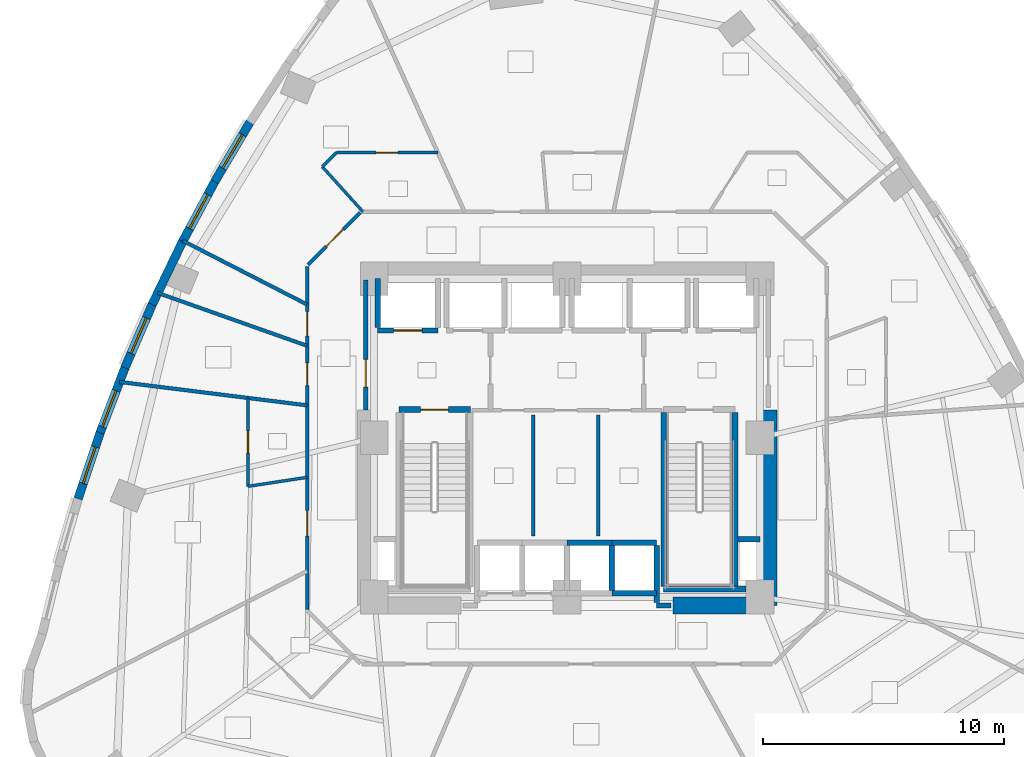
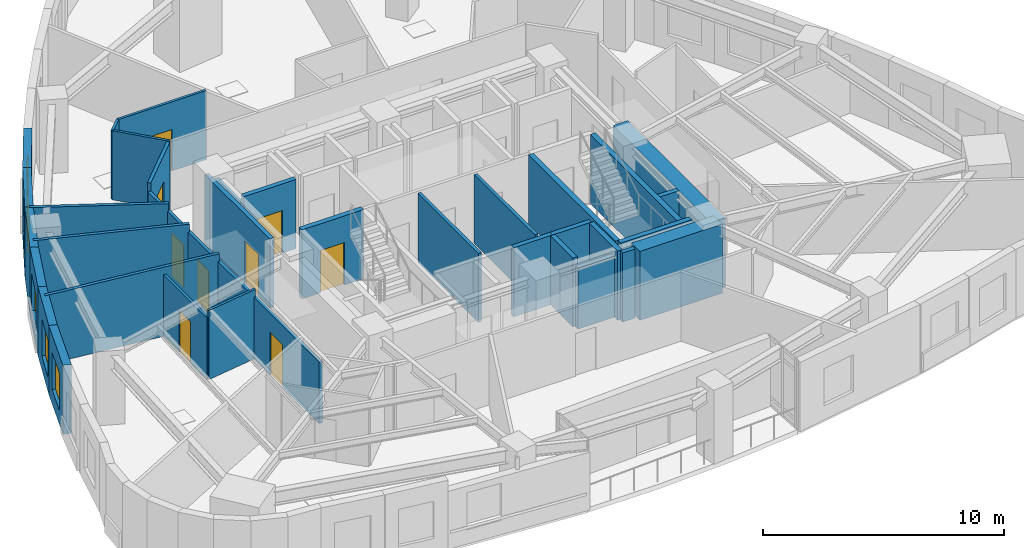
# One storey, part 5 of 11: 34 walls, 9 doors, 5 windows, 14 openings.
"""IFC4 building model written with IfcOpenShell, lengths in metres."""

import ifcopenshell
import ifcopenshell.guid

model = None  # the IFC model being written
_history = None  # IfcOwnerHistory: only IFC2X3 demands one
_inside = {}  # id of a spatial element -> (the spatial element, [elements in it])
_under = {}  # id of a project, library or spatial element -> (it, [spatial elements below it])
_declared = {}  # id of a project -> (the project, [libraries it declares])
_typed = {}  # id of a type object -> (the type object, [elements of that type])
_made_of = {}  # id of a material, layer set ... -> (it, [elements and type objects made of it])


def new_model(schema):
    """Start an empty IFC model of exactly this schema.

    Asked for "IFC4X3", IfcOpenShell would pick the latest addendum, in which some entities
    have other attributes; the version numbers below select the first issue.
    IFC2X3 requires an IfcOwnerHistory on every rooted entity: one is made here for all.
    """
    global model, _history
    if schema == "IFC4X3":
        model = ifcopenshell.file(schema_version=(4, 3, 0, 0))
    else:
        model = ifcopenshell.file(schema=schema)
    _inside.clear()
    _under.clear()
    _declared.clear()
    _typed.clear()
    _made_of.clear()
    _history = None
    if model.schema == "IFC2X3":
        org = make("IfcOrganization", Name="unknown")
        user = make(
            "IfcPersonAndOrganization",
            ThePerson=make("IfcPerson", FamilyName="unknown"),
            TheOrganization=org,
        )
        app = make(
            "IfcApplication",
            ApplicationDeveloper=org,
            Version="unknown",
            ApplicationFullName="unknown",
            ApplicationIdentifier="unknown",
        )
        _history = make(
            "IfcOwnerHistory",
            OwningUser=user,
            OwningApplication=app,
            ChangeAction="ADDED",
            CreationDate=0,
        )
    return model


def make(cls, **values):
    """One entity of the class cls with the attributes given. An attribute that is None is left unset."""
    return model.create_entity(
        cls, **{name: value for name, value in values.items() if value is not None}
    )


def rooted(cls, **values):
    """An entity with a GlobalId (a new one), such as an element, a storey or a relation."""
    return make(cls, GlobalId=ifcopenshell.guid.new(), OwnerHistory=_history, **values)


def si_unit(unit_type, name, prefix=None):
    """IfcSIUnit, for example si_unit("LENGTHUNIT", "METRE", prefix="MILLI")."""
    return make("IfcSIUnit", UnitType=unit_type, Prefix=prefix, Name=name)


def assignment(units):
    """IfcUnitAssignment: the units of a project."""
    return None if units is None else make("IfcUnitAssignment", Units=units)


def point(xyz):
    """IfcCartesianPoint."""
    return None if xyz is None else make("IfcCartesianPoint", Coordinates=xyz)


def direction(xyz):
    """IfcDirection."""
    return None if xyz is None else make("IfcDirection", DirectionRatios=xyz)


def frame(location, z_axis=None, x_axis=None):
    """IfcAxis2Placement3D, a coordinate frame: its origin and axes. An axis left out is left unset."""
    return make(
        "IfcAxis2Placement3D",
        Location=point(location),
        Axis=direction(z_axis),
        RefDirection=direction(x_axis),
    )


def frame_2d(location, x_axis=None):
    """IfcAxis2Placement2D, a coordinate frame in the plane: its origin and x axis."""
    return make(
        "IfcAxis2Placement2D", Location=point(location), RefDirection=direction(x_axis)
    )


def origin():
    """The frame at (0, 0, 0) with its axes left unset."""
    return frame((0.0, 0.0, 0.0))


def place(relative_to, where):
    """IfcLocalPlacement: puts the frame where relative to a parent placement (None: the world)."""
    return make(
        "IfcLocalPlacement", PlacementRelTo=relative_to, RelativePlacement=where
    )


def context(
    kind, dimensions, precision=None, world=None, true_north=None, identifier=None
):
    """IfcGeometricRepresentationContext, for example the 3D "Model" context."""
    return make(
        "IfcGeometricRepresentationContext",
        ContextIdentifier=identifier,
        ContextType=kind,
        CoordinateSpaceDimension=dimensions,
        Precision=precision,
        WorldCoordinateSystem=world,
        TrueNorth=true_north,
    )


def subcontext(parent, identifier, kind, view, scale=None):
    """IfcGeometricRepresentationSubContext, for example "Body" below "Model"."""
    return make(
        "IfcGeometricRepresentationSubContext",
        ContextIdentifier=identifier,
        ContextType=kind,
        ParentContext=parent,
        TargetScale=scale,
        TargetView=view,
    )


def project(units=None, contexts=None):
    """IfcProject with its units and contexts."""
    return rooted(
        "IfcProject",
        Name="project",
        RepresentationContexts=contexts,
        UnitsInContext=assignment(units),
    )


def spatial(cls, under=None, at=None, **own):
    """A site, building, storey or space (cls), placed at a placement, below another one or the project."""
    s = rooted(cls, ObjectPlacement=at, **own)
    if under is not None:
        _under.setdefault(under.id(), (under, []))[1].append(s)
    return s


def profile(cls, at=None, kind="AREA", **sizes):
    """A parametric profile (cls). Its sizes go by their IFC names, for example OverallWidth=200.0."""
    return make(cls, ProfileType=kind, Position=at, **sizes)


def rectangle(**sizes):
    """IfcRectangleProfileDef."""
    return profile("IfcRectangleProfileDef", **sizes)


def extrude(swept, where, along, depth):
    """IfcExtrudedAreaSolid: the profile swept, set in the frame where, extruded along a direction by depth."""
    return make(
        "IfcExtrudedAreaSolid",
        SweptArea=swept,
        Position=where,
        ExtrudedDirection=direction(along),
        Depth=depth,
    )


def shape(context_of_items, identifier, shape_type, items):
    """IfcShapeRepresentation: the items that make up one representation, for example the "Body"."""
    return make(
        "IfcShapeRepresentation",
        ContextOfItems=context_of_items,
        RepresentationIdentifier=identifier,
        RepresentationType=shape_type,
        Items=items,
    )


def material(Name=None, Category=None):
    """IfcMaterial."""
    return make("IfcMaterial", Name=Name, Category=Category)


def layer(
    of_material, thickness, ventilated=None, Name=None, Category=None, Priority=None
):
    """IfcMaterialLayer: one layer of a wall or slab, of a material (None: an air gap)."""
    return make(
        "IfcMaterialLayer",
        Material=of_material,
        LayerThickness=thickness,
        IsVentilated=ventilated,
        Name=Name,
        Category=Category,
        Priority=Priority,
    )


def layer_set(layers, Name=None):
    """IfcMaterialLayerSet."""
    return make("IfcMaterialLayerSet", MaterialLayers=layers, LayerSetName=Name)


def made_of(thing, what):
    """Note that an element or type object is made of a material, layer set ...; save() writes the relation."""
    if what is not None:
        _made_of.setdefault(what.id(), (what, []))[1].append(thing)
    return thing


def type_object(cls, material=None, **own):
    """A type object (cls), such as IfcWallType, which elements share."""
    return made_of(rooted(cls, **own), material)


def element(
    cls,
    number,
    at=None,
    inside=None,
    cuts=None,
    type_object=None,
    material=None,
    context=None,
    identifier="Body",
    shape_type=None,
    held_by="IfcProductDefinitionShape",
    body=None,
    shapes=None,
    **own,
):
    """One element of the class cls, such as IfcWall. Its Tag is "e" and its number.

    at: its placement. inside: the storey or other place that contains it. cuts: it is an
    opening in that element (IfcRelVoidsElement). A single representation is given by context,
    identifier, shape_type and body (its items); several are given by shapes. held_by: the class
    of the entity that holds the representations. save() writes the other relations.
    """
    e = rooted(cls, Tag="e%d" % number, ObjectPlacement=at, **own)
    if body is not None:
        shapes = [shape(context, identifier, shape_type, body)]
    if shapes is not None:
        e.Representation = make(held_by, Representations=shapes)
    if inside is not None:
        _inside.setdefault(inside.id(), (inside, []))[1].append(e)
    if cuts is not None:
        rooted(
            "IfcRelVoidsElement", RelatingBuildingElement=cuts, RelatedOpeningElement=e
        )
    if type_object is not None:
        _typed.setdefault(type_object.id(), (type_object, []))[1].append(e)
    return made_of(e, material)


def fill(opening, filler):
    """IfcRelFillsElement: the door or window that sits in an opening."""
    return rooted(
        "IfcRelFillsElement",
        RelatingOpeningElement=opening,
        RelatedBuildingElement=filler,
    )


def aggregate(whole, parts):
    """IfcRelAggregates: a whole, such as a stair, and the parts it consists of."""
    return rooted("IfcRelAggregates", RelatingObject=whole, RelatedObjects=parts)


def save(model, path):
    """Write the relations noted so far, then the file.

    IfcRelAggregates (storeys below a building ...), IfcRelContainedInSpatialStructure (elements
    in a storey), IfcRelDefinesByType, IfcRelAssociatesMaterial and IfcRelDeclares: one each for
    every whole, place, type object, material and project.
    """
    for whole, parts in _under.values():
        aggregate(whole, parts)
    for where, things in _inside.values():
        rooted(
            "IfcRelContainedInSpatialStructure",
            RelatedElements=things,
            RelatingStructure=where,
        )
    for kind, things in _typed.values():
        rooted("IfcRelDefinesByType", RelatedObjects=things, RelatingType=kind)
    for what, things in _made_of.values():
        rooted("IfcRelAssociatesMaterial", RelatedObjects=things, RelatingMaterial=what)
    for by, libraries in _declared.values():
        rooted("IfcRelDeclares", RelatingContext=by, RelatedDefinitions=libraries)
    model.write(path)


model = new_model("IFC4")

# Units and contexts
model_context = context("Model", 3, precision=1e-05, world=origin(), true_north=direction((0.0, 1.0)))
body_context = subcontext(model_context, "Body", "Model", "MODEL_VIEW")
ifc_project = project(units=[si_unit("LENGTHUNIT", "METRE"), si_unit("AREAUNIT", "SQUARE_METRE"), si_unit("VOLUMEUNIT", "CUBIC_METRE"), si_unit("PLANEANGLEUNIT", "RADIAN"), si_unit("MASSUNIT", "GRAM", prefix="KILO")], contexts=[model_context])

# Site, building, storey
site_placement = place(None, origin())
site = spatial("IfcSite", under=ifc_project, at=site_placement, CompositionType="ELEMENT")
building_placement = place(site_placement, origin())
building = spatial("IfcBuilding", under=site, at=building_placement, Name="Ndelora Gate Hotel", CompositionType="ELEMENT")
storey_placement = place(building_placement, frame((0.0, 0.0, 45.5)))
storey = spatial("IfcBuildingStorey", under=building, at=storey_placement, Name="L10", CompositionType="ELEMENT", Elevation=45.5)

# Wall, opening, window
ifc_material_1 = material(Name="Clay Brick Masonry", Category="masonry")
ifc_layer_1 = layer(ifc_material_1, 0.360107421875)
ifc_layer_set_1 = layer_set([ifc_layer_1], Name="Clay Brick Masonry")
wall_type_1 = type_object("IfcWallType", Name="WL-BRICK-360", PredefinedType="SOLIDWALL", material=ifc_layer_set_1)
wall_1_placement = place(storey_placement, frame((-14.61279296875, 10.62646484375, 0.0), z_axis=(0.0, 0.0, 1.0), x_axis=(0.510091648533, 0.86012005563, 0.0)))
wall_1 = element("IfcWall", 1, at=wall_1_placement, inside=storey, type_object=wall_type_1, Name="L10 Tower Brick Pier-and-Spandrel Wall TWR-13", PredefinedType="SOLIDWALL", context=body_context, shape_type="SweptSolid", body=[
    extrude(rectangle(XDim=2.914794921875, YDim=0.360107421875, at=frame_2d((1.45751953125, 0.0))), origin(), (0.0, 0.0, 1.0), 3.5),
])
opening_1_placement = place(wall_1_placement, frame((0.657470703125, 0.0, 0.719970703125)))
opening_1 = element("IfcOpeningElement", 2, at=opening_1_placement, cuts=wall_1, Name="Opening W03", PredefinedType="OPENING", context=body_context, shape_type="SweptSolid", body=[
    extrude(rectangle(XDim=1.60009765625, YDim=1.8798828125, at=frame_2d((0.800048828125, 0.93994140625))), frame((0.0, 0.18994140625, 0.0), z_axis=(0.0, -1.0, 0.0), x_axis=(1.0, 0.0, 0.0)), (0.0, 0.0, 1.0), 0.380126953125),
])
ifc_material_2 = material(Name="Insulated Low-E Double Glazing in Bronze Aluminium Frame", Category="aluminium")
window_type_1 = type_object("IfcWindowType", Name="WN-CORN-2100", PartitioningType="SINGLE_PANEL", PredefinedType="WINDOW", material=ifc_material_2)
window_1_placement = place(opening_1_placement, origin())
window_1 = element("IfcWindow", 3, at=window_1_placement, inside=storey, type_object=window_type_1, Name="L10 Deep-Set Brick-Pier Window W03", OverallHeight=1.8798828125, OverallWidth=1.60009765625, PartitioningType="SINGLE_PANEL", PredefinedType="WINDOW", context=body_context, shape_type="SweptSolid", body=[
    extrude(rectangle(XDim=1.60009765625, YDim=1.8798828125, at=frame_2d((0.800048828125, 0.93994140625))), frame((0.0, 0.030029296875, 0.0), z_axis=(0.0, -1.0, 0.0), x_axis=(1.0, 0.0, 0.0)), (0.0, 0.0, 1.0), 0.06005859375),
])
fill(opening_1, window_1)

wall_2_placement = place(storey_placement, frame((-15.96435546875, 8.106201171875, 0.0), z_axis=(0.0, 0.0, 1.0), x_axis=(0.472903509286, 0.881114221259, 0.0)))
wall_2 = element("IfcWall", 4, at=wall_2_placement, inside=storey, type_object=wall_type_1, Name="L10 Tower Brick Pier-and-Spandrel Wall TWR-14", PredefinedType="SOLIDWALL", context=body_context, shape_type="SweptSolid", body=[
    extrude(rectangle(XDim=2.90966796875, YDim=0.360107421875, at=frame_2d((1.454833984375, 0.0))), origin(), (0.0, 0.0, 1.0), 3.5),
])
opening_2_placement = place(wall_2_placement, frame((0.65478515625, 0.0, 0.719970703125)))
opening_2 = element("IfcOpeningElement", 5, at=opening_2_placement, cuts=wall_2, Name="Opening W01", PredefinedType="OPENING", context=body_context, shape_type="SweptSolid", body=[
    extrude(rectangle(XDim=1.60009765625, YDim=1.8798828125, at=frame_2d((0.800048828125, 0.93994140625))), frame((0.0, 0.18994140625, 0.0), z_axis=(0.0, -1.0, 0.0), x_axis=(1.0, 0.0, 0.0)), (0.0, 0.0, 1.0), 0.380126953125),
])
window_type_2 = type_object("IfcWindowType", Name="WN-DEEP-1600", PartitioningType="SINGLE_PANEL", PredefinedType="WINDOW", material=ifc_material_2)
window_2_placement = place(opening_2_placement, origin())
window_2 = element("IfcWindow", 6, at=window_2_placement, inside=storey, type_object=window_type_2, Name="L10 Deep-Set Brick-Pier Window W01", OverallHeight=1.8798828125, OverallWidth=1.60009765625, PartitioningType="SINGLE_PANEL", PredefinedType="WINDOW", context=body_context, shape_type="SweptSolid", body=[
    extrude(rectangle(XDim=1.60009765625, YDim=1.8798828125, at=frame_2d((0.800048828125, 0.93994140625))), frame((0.0, 0.030029296875, 0.0), z_axis=(0.0, -1.0, 0.0), x_axis=(1.0, 0.0, 0.0)), (0.0, 0.0, 1.0), 0.06005859375),
])
fill(opening_2, window_2)

# Wall
wall_3_placement = place(storey_placement, frame((-17.206787109375, 5.530517578125, 0.0), z_axis=(0.0, 0.0, 1.0), x_axis=(0.434819461164, 0.900517649018, 0.0)))
element("IfcWall", 7, at=wall_3_placement, inside=storey, type_object=wall_type_1, Name="L10 Tower Brick Pier-and-Spandrel Wall TWR-15", PredefinedType="SOLIDWALL", context=body_context, shape_type="SweptSolid", body=[
    extrude(rectangle(XDim=2.90966796875, YDim=0.360107421875, at=frame_2d((1.454833984375, 0.0))), origin(), (0.0, 0.0, 1.0), 3.5),
])

# Wall, opening, window
wall_4_placement = place(storey_placement, frame((-18.340576171875, 2.8994140625, 0.0), z_axis=(0.0, 0.0, 1.0), x_axis=(0.396050960204, 0.918228531969, 0.0)))
wall_4 = element("IfcWall", 8, at=wall_4_placement, inside=storey, type_object=wall_type_1, Name="L10 Tower Brick Pier-and-Spandrel Wall TWR-16", PredefinedType="SOLIDWALL", context=body_context, shape_type="SweptSolid", body=[
    extrude(rectangle(XDim=2.9150390625, YDim=0.360107421875, at=frame_2d((1.45751953125, 0.0))), origin(), (0.0, 0.0, 1.0), 3.5),
])
opening_3_placement = place(wall_4_placement, frame((0.657470703125, 0.0, 0.719970703125)))
opening_3 = element("IfcOpeningElement", 9, at=opening_3_placement, cuts=wall_4, Name="Opening W01", PredefinedType="OPENING", context=body_context, shape_type="SweptSolid", body=[
    extrude(rectangle(XDim=1.60009765625, YDim=1.8798828125, at=frame_2d((0.800048828125, 0.93994140625))), frame((0.0, 0.18994140625, 0.0), z_axis=(0.0, -1.0, 0.0), x_axis=(1.0, 0.0, 0.0)), (0.0, 0.0, 1.0), 0.380126953125),
])
window_3_placement = place(opening_3_placement, origin())
window_3 = element("IfcWindow", 10, at=window_3_placement, inside=storey, type_object=window_type_2, Name="L10 Deep-Set Brick-Pier Window W01", OverallHeight=1.8798828125, OverallWidth=1.60009765625, PartitioningType="SINGLE_PANEL", PredefinedType="WINDOW", context=body_context, shape_type="SweptSolid", body=[
    extrude(rectangle(XDim=1.60009765625, YDim=1.8798828125, at=frame_2d((0.800048828125, 0.93994140625))), frame((0.0, 0.030029296875, 0.0), z_axis=(0.0, -1.0, 0.0), x_axis=(1.0, 0.0, 0.0)), (0.0, 0.0, 1.0), 0.06005859375),
])
fill(opening_3, window_3)

wall_5_placement = place(storey_placement, frame((-19.365234375, 0.212890625, 0.0), z_axis=(0.0, 0.0, 1.0), x_axis=(0.356696268282, 0.934220408787, 0.0)))
wall_5 = element("IfcWall", 11, at=wall_5_placement, inside=storey, type_object=wall_type_1, Name="L10 Tower Brick Pier-and-Spandrel Wall TWR-17", PredefinedType="SOLIDWALL", context=body_context, shape_type="SweptSolid", body=[
    extrude(rectangle(XDim=2.92529296875, YDim=0.360107421875, at=frame_2d((1.462646484375, 0.0))), origin(), (0.0, 0.0, 1.0), 3.5),
])
opening_4_placement = place(wall_5_placement, frame((0.260009765625, 0.0, 0.719970703125)))
opening_4 = element("IfcOpeningElement", 12, at=opening_4_placement, cuts=wall_5, Name="Opening W03", PredefinedType="OPENING", context=body_context, shape_type="SweptSolid", body=[
    extrude(rectangle(XDim=1.60009765625, YDim=1.8798828125, at=frame_2d((0.800048828125, 0.93994140625))), frame((0.0, 0.18994140625, 0.0), z_axis=(0.0, -1.0, 0.0), x_axis=(1.0, 0.0, 0.0)), (0.0, 0.0, 1.0), 0.380126953125),
])
window_4_placement = place(opening_4_placement, origin())
window_4 = element("IfcWindow", 13, at=window_4_placement, inside=storey, type_object=window_type_1, Name="L10 Deep-Set Brick-Pier Window W03", OverallHeight=1.8798828125, OverallWidth=1.60009765625, PartitioningType="SINGLE_PANEL", PredefinedType="WINDOW", context=body_context, shape_type="SweptSolid", body=[
    extrude(rectangle(XDim=1.60009765625, YDim=1.8798828125, at=frame_2d((0.800048828125, 0.93994140625))), frame((0.0, 0.030029296875, 0.0), z_axis=(0.0, -1.0, 0.0), x_axis=(1.0, 0.0, 0.0)), (0.0, 0.0, 1.0), 0.06005859375),
])
fill(opening_4, window_4)

wall_6_placement = place(storey_placement, frame((-20.281005859375, -2.529052734375, 0.0), z_axis=(0.0, 0.0, 1.0), x_axis=(0.317124206319, 0.948384013871, 0.0)))
wall_6 = element("IfcWall", 14, at=wall_6_placement, inside=storey, type_object=wall_type_1, Name="L10 Tower Brick Pier-and-Spandrel Wall TWR-18", PredefinedType="SOLIDWALL", context=body_context, shape_type="SweptSolid", body=[
    extrude(rectangle(XDim=2.94091796875, YDim=0.360107421875, at=frame_2d((1.470458984375, 0.0))), origin(), (0.0, 0.0, 1.0), 3.5),
])
opening_5_placement = place(wall_6_placement, frame((0.67041015625, 0.0, 0.719970703125)))
opening_5 = element("IfcOpeningElement", 15, at=opening_5_placement, cuts=wall_6, Name="Opening W01", PredefinedType="OPENING", context=body_context, shape_type="SweptSolid", body=[
    extrude(rectangle(XDim=1.60009765625, YDim=1.8798828125, at=frame_2d((0.800048828125, 0.93994140625))), frame((0.0, 0.18994140625, 0.0), z_axis=(0.0, -1.0, 0.0), x_axis=(1.0, 0.0, 0.0)), (0.0, 0.0, 1.0), 0.380126953125),
])
window_5_placement = place(opening_5_placement, origin())
window_5 = element("IfcWindow", 16, at=window_5_placement, inside=storey, type_object=window_type_2, Name="L10 Deep-Set Brick-Pier Window W01", OverallHeight=1.8798828125, OverallWidth=1.60009765625, PartitioningType="SINGLE_PANEL", PredefinedType="WINDOW", context=body_context, shape_type="SweptSolid", body=[
    extrude(rectangle(XDim=1.60009765625, YDim=1.8798828125, at=frame_2d((0.800048828125, 0.93994140625))), frame((0.0, 0.030029296875, 0.0), z_axis=(0.0, -1.0, 0.0), x_axis=(1.0, 0.0, 0.0)), (0.0, 0.0, 1.0), 0.06005859375),
])
fill(opening_5, window_5)

# Walls
ifc_material_3 = material(Name="Concrete C60/75", Category="concrete")
ifc_layer_2 = layer(ifc_material_3, 0.699951171875)
ifc_layer_set_2 = layer_set([ifc_layer_2], Name="Concrete C60/75")
wall_type_2 = type_object("IfcWallType", Name="WL-CORE-700", PredefinedType="SHEAR", material=ifc_layer_set_2)
wall_7_placement = place(storey_placement, frame((4.39990234375, -6.949951171875, 0.0), z_axis=(0.0, 0.0, 1.0), x_axis=(1.0, 0.0, 0.0)))
element("IfcWall", 17, at=wall_7_placement, inside=storey, type_object=wall_type_2, Name="L10 Core Shear Wall S-E", PredefinedType="SHEAR", context=body_context, shape_type="SweptSolid", body=[
    extrude(rectangle(XDim=3.9501953125, YDim=0.699951171875, at=frame_2d((1.97509765625, 0.0))), origin(), (0.0, 0.0, 1.0), 3.5),
])
wall_8_placement = place(storey_placement, frame((8.35009765625, -6.949951171875, 0.0), z_axis=(0.0, 0.0, 1.0), x_axis=(0.0, 1.0, 0.0)))
element("IfcWall", 18, at=wall_8_placement, inside=storey, type_object=wall_type_2, Name="L10 Core Shear Wall E", PredefinedType="SHEAR", context=body_context, shape_type="SweptSolid", body=[
    extrude(rectangle(XDim=8.099853515625, YDim=0.699951171875, at=frame_2d((4.0498046875, 0.0))), origin(), (0.0, 0.0, 1.0), 3.5),
])

# Wall, opening, door
ifc_material_4 = material(Name="Concrete C40/50", Category="concrete")
ifc_layer_3 = layer(ifc_material_4, 0.199951171875)
ifc_layer_set_3 = layer_set([ifc_layer_3], Name="Concrete C40/50")
wall_type_3 = type_object("IfcWallType", Name="WL-FIRE-200", PredefinedType="PARTITIONING", material=ifc_layer_set_3)
wall_9_placement = place(storey_placement, frame((-8.35009765625, 1.14990234375, 0.0), z_axis=(0.0, 0.0, 1.0), x_axis=(0.0, 1.0, 0.0)))
wall_9 = element("IfcWall", 19, at=wall_9_placement, inside=storey, type_object=wall_type_3, Name="L10 Interior Wall IW-2", PredefinedType="PARTITIONING", context=body_context, shape_type="SweptSolid", body=[
    extrude(rectangle(XDim=5.400146484375, YDim=0.199951171875, at=frame_2d((2.7001953125, 0.0))), origin(), (0.0, 0.0, 1.0), 3.5),
])
opening_6_placement = place(wall_9_placement, frame((0.949951171875, 0.0, 0.0)))
opening_6 = element("IfcOpeningElement", 20, at=opening_6_placement, cuts=wall_9, Name="Opening FD1", PredefinedType="OPENING", context=body_context, shape_type="SweptSolid", body=[
    extrude(rectangle(XDim=1.14990234375, YDim=2.14990234375, at=frame_2d((0.574951171875, 1.074951171875))), frame((0.0, 0.10986328125, 0.0), z_axis=(0.0, -1.0, 0.0), x_axis=(1.0, 0.0, 0.0)), (0.0, 0.0, 1.0), 0.219970703125),
])
ifc_material_5 = material(Name="Fire-Rated Timber-Veneer Steel Core", Category="steel")
door_type_1 = type_object("IfcDoorType", Name="DR-FD60", OperationType="SINGLE_SWING_LEFT", PredefinedType="DOOR", material=ifc_material_5)
door_1_placement = place(opening_6_placement, origin())
door_1 = element("IfcDoor", 21, at=door_1_placement, inside=storey, type_object=door_type_1, Name="L10 Firefighting Lobby West Corridor Door", OperationType="SINGLE_SWING_LEFT", OverallHeight=2.14990234375, OverallWidth=1.14990234375, PredefinedType="DOOR", context=body_context, shape_type="SweptSolid", body=[
    extrude(rectangle(XDim=1.14990234375, YDim=2.14990234375, at=frame_2d((0.574951171875, 1.074951171875))), frame((0.0, 0.02490234375, 0.0), z_axis=(0.0, -1.0, 0.0), x_axis=(1.0, 0.0, 0.0)), (0.0, 0.0, 1.0), 0.050048828125),
])
fill(opening_6, door_1)

# Walls
wall_10_placement = place(storey_placement, frame((3.719970703125, -6.949951171875, 0.0), z_axis=(0.0, 0.0, 1.0), x_axis=(1.0, 0.0, 0.0)))
element("IfcWall", 22, at=wall_10_placement, inside=storey, type_object=wall_type_3, Name="L10 Interior Wall IW-2", PredefinedType="PARTITIONING", context=body_context, shape_type="SweptSolid", body=[
    extrude(rectangle(XDim=0.60009765625, YDim=0.199951171875, at=frame_2d((0.300048828125, 0.0))), origin(), (0.0, 0.0, 1.0), 3.5),
])
ifc_material_6 = material(Name="Fire-Rated Gypsum Stud Partition", Category="gypsum")
ifc_layer_4 = layer(ifc_material_6, 0.14990234375)
ifc_layer_set_4 = layer_set([ifc_layer_4], Name="Fire-Rated Gypsum Stud Partition")
wall_type_4 = type_object("IfcWallType", Name="WL-PART-150", PredefinedType="PARTITIONING", material=ifc_layer_set_4)
for number, where, z_axis, x_axis, name in (
    (23, (-1.39990234375, -4.080078125, 0.0), (0.0, 0.0, 1.0), (0.0, 1.0, 0.0), "L10 Interior Wall IW-5"),
    (24, (1.300048828125, -4.080078125, 0.0), (0.0, 0.0, 1.0), (0.0, 1.0, 0.0), "L10 Interior Wall IW-5"),
):
    element("IfcWall", number, at=place(storey_placement, frame(where, z_axis=z_axis, x_axis=x_axis)), inside=storey, type_object=wall_type_4, Name=name, PredefinedType="PARTITIONING", context=body_context, shape_type="SweptSolid", body=[
        extrude(rectangle(XDim=5.030029296875, YDim=0.14990234375, at=frame_2d((2.51513671875, 0.0))), origin(), (0.0, 0.0, 1.0), 3.5),
    ])

# Wall, opening, door
wall_11_placement = place(storey_placement, frame((-10.751708984375, 7.17822265625, 0.0), z_axis=(0.0, 0.0, 1.0), x_axis=(0.707067066127, 0.707146494016, 0.0)))
wall_11 = element("IfcWall", 25, at=wall_11_placement, inside=storey, type_object=wall_type_4, Name="L10 Interior Wall IW-5", PredefinedType="PARTITIONING", context=body_context, shape_type="SweptSolid", body=[
    extrude(rectangle(XDim=3.07373046875, YDim=0.14990234375, at=frame_2d((1.536865234375, 0.0))), origin(), (0.0, 0.0, 1.0), 3.5),
])
opening_7_placement = place(wall_11_placement, frame((1.076904296875, 0.0, 0.0)))
opening_7 = element("IfcOpeningElement", 26, at=opening_7_placement, cuts=wall_11, Name="Opening D01", PredefinedType="OPENING", context=body_context, shape_type="SweptSolid", body=[
    extrude(rectangle(XDim=1.0, YDim=2.14990234375, at=frame_2d((0.5, 1.074951171875))), frame((0.0, 0.0849609375, 0.0), z_axis=(0.0, -1.0, 0.0), x_axis=(1.0, 0.0, 0.0)), (0.0, 0.0, 1.0), 0.169921875),
])
ifc_material_7 = material(Name="Acoustic Hardwood Guest Entrance Door", Category="wood")
door_type_2 = type_object("IfcDoorType", Name="DR-COR-1000", OperationType="SINGLE_SWING_LEFT", PredefinedType="DOOR", material=ifc_material_7)
door_2_placement = place(opening_7_placement, origin())
door_2 = element("IfcDoor", 27, at=door_2_placement, inside=storey, type_object=door_type_2, Name="L10 Superior Double Guest Room 1306 Entrance Door", OperationType="SINGLE_SWING_LEFT", OverallHeight=2.14990234375, OverallWidth=1.0, PredefinedType="DOOR", context=body_context, shape_type="SweptSolid", body=[
    extrude(rectangle(XDim=1.0, YDim=2.14990234375, at=frame_2d((0.5, 1.074951171875))), frame((0.0, 0.02490234375, 0.0), z_axis=(0.0, -1.0, 0.0), x_axis=(1.0, 0.0, 0.0)), (0.0, 0.0, 1.0), 0.050048828125),
])
fill(opening_7, door_2)

# Wall, openings, doors
wall_12_placement = place(storey_placement, frame((-10.780029296875, -7.110107421875, 0.0), z_axis=(0.0, 0.0, 1.0), x_axis=(0.0, 1.0, 0.0)))
wall_12 = element("IfcWall", 28, at=wall_12_placement, inside=storey, type_object=wall_type_4, Name="L10 Interior Wall IW-5", PredefinedType="PARTITIONING", context=body_context, shape_type="SweptSolid", body=[
    extrude(rectangle(XDim=14.22021484375, YDim=0.14990234375, at=frame_2d((7.110107421875, 0.0))), origin(), (0.0, 0.0, 1.0), 3.1201171875),
])
opening_8_placement = place(wall_12_placement, frame((11.343505859375, 0.0, 0.0)))
opening_8 = element("IfcOpeningElement", 29, at=opening_8_placement, cuts=wall_12, Name="Opening D01", PredefinedType="OPENING", context=body_context, shape_type="SweptSolid", body=[
    extrude(rectangle(XDim=1.0, YDim=2.14990234375, at=frame_2d((0.5, 1.074951171875))), frame((0.0, 0.0849609375, 0.0), z_axis=(0.0, -1.0, 0.0), x_axis=(1.0, 0.0, 0.0)), (0.0, 0.0, 1.0), 0.169921875),
])
opening_9_placement = place(wall_12_placement, frame((9.2724609375, 0.0, 0.0)))
opening_9 = element("IfcOpeningElement", 30, at=opening_9_placement, cuts=wall_12, Name="Opening D05", PredefinedType="OPENING", context=body_context, shape_type="SweptSolid", body=[
    extrude(rectangle(XDim=0.949951171875, YDim=2.10009765625, at=frame_2d((0.47509765625, 1.050048828125))), frame((0.0, 0.0849609375, 0.0), z_axis=(0.0, -1.0, 0.0), x_axis=(1.0, 0.0, 0.0)), (0.0, 0.0, 1.0), 0.169921875),
])
opening_10_placement = place(wall_12_placement, frame((3.035400390625, 0.0, 0.0)))
opening_10 = element("IfcOpeningElement", 31, at=opening_10_placement, cuts=wall_12, Name="Opening D07", PredefinedType="OPENING", context=body_context, shape_type="SweptSolid", body=[
    extrude(rectangle(XDim=1.06005859375, YDim=2.14990234375, at=frame_2d((0.530029296875, 1.074951171875))), frame((0.0, 0.0849609375, 0.0), z_axis=(0.0, -1.0, 0.0), x_axis=(1.0, 0.0, 0.0)), (0.0, 0.0, 1.0), 0.169921875),
])
ifc_material_8 = material(Name="Accessible Restroom Wide-Clearance Door", Category="wood")
door_type_3 = type_object("IfcDoorType", Name="DR-ACC-950", OperationType="SINGLE_SWING_LEFT", PredefinedType="DOOR", material=ifc_material_8)
door_3_placement = place(opening_9_placement, origin())
door_3 = element("IfcDoor", 32, at=door_3_placement, inside=storey, type_object=door_type_3, Name="L10 Accessible WC Entrance Door", OperationType="SINGLE_SWING_LEFT", OverallHeight=2.10009765625, OverallWidth=0.949951171875, PredefinedType="DOOR", context=body_context, shape_type="SweptSolid", body=[
    extrude(rectangle(XDim=0.949951171875, YDim=2.10009765625, at=frame_2d((0.47509765625, 1.050048828125))), frame((0.0, 0.02490234375, 0.0), z_axis=(0.0, -1.0, 0.0), x_axis=(1.0, 0.0, 0.0)), (0.0, 0.0, 1.0), 0.050048828125),
])
fill(opening_9, door_3)
door_4_placement = place(opening_8_placement, origin())
door_4 = element("IfcDoor", 33, at=door_4_placement, inside=storey, type_object=door_type_2, Name="L10 Housekeeping and Linen Room Entrance Door", OperationType="SINGLE_SWING_RIGHT", OverallHeight=2.14990234375, OverallWidth=1.0, PredefinedType="DOOR", context=body_context, shape_type="SweptSolid", body=[
    extrude(rectangle(XDim=1.0, YDim=2.14990234375, at=frame_2d((0.5, 1.074951171875))), frame((0.0, 0.02490234375, 0.0), z_axis=(0.0, -1.0, 0.0), x_axis=(1.0, 0.0, 0.0)), (0.0, 0.0, 1.0), 0.050048828125),
])
fill(opening_8, door_4)
ifc_material_9 = material(Name="Diplomatic Suite Acoustic Entrance Door", Category="wood")
door_type_4 = type_object("IfcDoorType", Name="DR-SUITE-1060", OperationType="SINGLE_SWING_LEFT", PredefinedType="DOOR", material=ifc_material_9)
door_5_placement = place(opening_10_placement, origin())
door_5 = element("IfcDoor", 34, at=door_5_placement, inside=storey, type_object=door_type_4, Name="L10 Executive King Junior Suite 1301 Entrance Door", OperationType="SINGLE_SWING_RIGHT", OverallHeight=2.14990234375, OverallWidth=1.06005859375, PredefinedType="DOOR", context=body_context, shape_type="SweptSolid", body=[
    extrude(rectangle(XDim=1.06005859375, YDim=2.14990234375, at=frame_2d((0.530029296875, 1.074951171875))), frame((0.0, 0.02490234375, 0.0), z_axis=(0.0, -1.0, 0.0), x_axis=(1.0, 0.0, 0.0)), (0.0, 0.0, 1.0), 0.050048828125),
])
fill(opening_10, door_5)

# Walls
wall_13_placement = place(storey_placement, frame((-10.780029296875, 1.347412109375, 0.0), z_axis=(0.0, 0.0, 1.0), x_axis=(-0.992276439596, 0.124046230988, 0.0)))
element("IfcWall", 35, at=wall_13_placement, inside=storey, type_object=wall_type_4, Name="L10 Interior Wall IW-5", PredefinedType="PARTITIONING", context=body_context, shape_type="SweptSolid", body=[
    extrude(rectangle(XDim=7.841064453125, YDim=0.14990234375, at=frame_2d((3.92041015625, 0.0))), origin(), (0.0, 0.0, 1.0), 3.5),
])
wall_14_placement = place(storey_placement, frame((-10.780029296875, 5.529541015625, 0.0), z_axis=(0.0, 0.0, 1.0), x_axis=(-0.889781886096, 0.456386015535, 0.0)))
element("IfcWall", 36, at=wall_14_placement, inside=storey, type_object=wall_type_4, Name="L10 Interior Wall IW-5", PredefinedType="PARTITIONING", context=body_context, shape_type="SweptSolid", body=[
    extrude(rectangle(XDim=5.78759765625, YDim=0.14990234375, at=frame_2d((2.893798828125, 0.0))), origin(), (0.0, 0.0, 1.0), 3.5),
])
wall_15_placement = place(storey_placement, frame((-10.780029296875, 3.8173828125, 0.0), z_axis=(0.0, 0.0, 1.0), x_axis=(-0.942646221325, 0.333793501167, 0.0)))
element("IfcWall", 37, at=wall_15_placement, inside=storey, type_object=wall_type_4, Name="L10 Interior Wall IW-5", PredefinedType="PARTITIONING", context=body_context, shape_type="SweptSolid", body=[
    extrude(rectangle(XDim=6.57177734375, YDim=0.14990234375, at=frame_2d((3.285888671875, 0.0))), origin(), (0.0, 0.0, 1.0), 3.5),
])
ifc_layer_5 = layer(ifc_material_4, 0.219970703125)
ifc_layer_set_5 = layer_set([ifc_layer_5], Name="Concrete C40/50")
wall_type_5 = type_object("IfcWallType", Name="WL-SHAFT-220", PredefinedType="PARTITIONING", material=ifc_layer_set_5)
wall_16_placement = place(storey_placement, frame((7.090087890625, -4.199951171875, 0.0), z_axis=(0.0, 0.0, 1.0), x_axis=(1.0, 0.0, 0.0)))
element("IfcWall", 38, at=wall_16_placement, inside=storey, type_object=wall_type_5, Name="L10 Interior Wall IW-1", PredefinedType="PARTITIONING", context=body_context, shape_type="SweptSolid", body=[
    extrude(rectangle(XDim=0.909912109375, YDim=0.219970703125, at=frame_2d((0.455078125, 0.0))), origin(), (0.0, 0.0, 1.0), 3.5),
])

# Wall, opening, door
wall_17_placement = place(storey_placement, frame((-7.85009765625, 4.449951171875, 0.0), z_axis=(0.0, 0.0, 1.0), x_axis=(1.0, 0.0, 0.0)))
wall_17 = element("IfcWall", 39, at=wall_17_placement, inside=storey, type_object=wall_type_5, Name="L10 Interior Wall IW-1", PredefinedType="PARTITIONING", context=body_context, shape_type="SweptSolid", body=[
    extrude(rectangle(XDim=2.5, YDim=0.219970703125, at=frame_2d((1.25, 0.0))), origin(), (0.0, 0.0, 1.0), 3.5),
])
opening_11_placement = place(wall_17_placement, frame((0.659912109375, 0.0, 0.0)))
opening_11 = element("IfcOpeningElement", 40, at=opening_11_placement, cuts=wall_17, Name="Opening LD5", PredefinedType="OPENING", context=body_context, shape_type="SweptSolid", body=[
    extrude(rectangle(XDim=1.179931640625, YDim=2.14990234375, at=frame_2d((0.58984375, 1.074951171875))), frame((0.0, 0.1201171875, 0.0), z_axis=(0.0, -1.0, 0.0), x_axis=(1.0, 0.0, 0.0)), (0.0, 0.0, 1.0), 0.239990234375),
])
ifc_material_10 = material(Name="Firefighting Lift Stainless Sliding Landing Door", Category="metal")
door_type_5 = type_object("IfcDoorType", Name="DR-LD5", OperationType="DOUBLE_DOOR_SLIDING", PredefinedType="DOOR", material=ifc_material_10)
door_6_placement = place(opening_11_placement, origin())
door_6 = element("IfcDoor", 41, at=door_6_placement, inside=storey, type_object=door_type_5, Name="L10 Lift Landing Sliding Door FFL1", OperationType="DOUBLE_DOOR_SLIDING", OverallHeight=2.14990234375, OverallWidth=1.179931640625, PredefinedType="DOOR", context=body_context, shape_type="SweptSolid", body=[
    extrude(rectangle(XDim=1.179931640625, YDim=2.14990234375, at=frame_2d((0.58984375, 1.074951171875))), frame((0.0, 0.02490234375, 0.0), z_axis=(0.0, -1.0, 0.0), x_axis=(1.0, 0.0, 0.0)), (0.0, 0.0, 1.0), 0.050048828125),
])
fill(opening_11, door_6)

# Walls
wall_18_placement = place(storey_placement, frame((-7.85009765625, 4.570068359375, 0.0), z_axis=(0.0, 0.0, 1.0), x_axis=(0.0, 1.0, 0.0)))
element("IfcWall", 42, at=wall_18_placement, inside=storey, type_object=wall_type_5, Name="L10 Interior Wall IW-1", PredefinedType="PARTITIONING", context=body_context, shape_type="SweptSolid", body=[
    extrude(rectangle(XDim=2.030029296875, YDim=0.219970703125, at=frame_2d((1.01513671875, 0.0))), origin(), (0.0, 0.0, 1.0), 3.080078125),
])
for number, where, z_axis, x_axis, name in (
    (43, (0.0, -4.35009765625, 0.0), (0.0, 0.0, 1.0), (1.0, 0.0, 0.0), "L10 Interior Wall IW-1"),
    (44, (1.860107421875, -6.330078125, 0.0), (0.0, 0.0, 1.0), (0.0, 1.0, 0.0), "L10 Interior Wall IW-1"),
):
    element("IfcWall", number, at=place(storey_placement, frame(where, z_axis=z_axis, x_axis=x_axis)), inside=storey, type_object=wall_type_5, Name=name, PredefinedType="PARTITIONING", context=body_context, shape_type="SweptSolid", body=[
        extrude(rectangle(XDim=1.860107421875, YDim=0.219970703125, at=frame_2d((0.93017578125, 0.0))), origin(), (0.0, 0.0, 1.0), 3.5),
    ])
wall_19_placement = place(storey_placement, frame((1.860107421875, -6.449951171875, 0.0), z_axis=(0.0, 0.0, 1.0), x_axis=(1.0, 0.0, 0.0)))
element("IfcWall", 45, at=wall_19_placement, inside=storey, type_object=wall_type_5, Name="L10 Interior Wall IW-1", PredefinedType="PARTITIONING", context=body_context, shape_type="SweptSolid", body=[
    extrude(rectangle(XDim=1.85986328125, YDim=0.219970703125, at=frame_2d((0.929931640625, 0.0))), origin(), (0.0, 0.0, 1.0), 3.080078125),
])
wall_20_placement = place(storey_placement, frame((1.860107421875, -4.35009765625, 0.0), z_axis=(0.0, 0.0, 1.0), x_axis=(1.0, 0.0, 0.0)))
element("IfcWall", 46, at=wall_20_placement, inside=storey, type_object=wall_type_5, Name="L10 Interior Wall IW-1", PredefinedType="PARTITIONING", context=body_context, shape_type="SweptSolid", body=[
    extrude(rectangle(XDim=1.85986328125, YDim=0.219970703125, at=frame_2d((0.929931640625, 0.0))), origin(), (0.0, 0.0, 1.0), 3.5),
])
wall_21_placement = place(storey_placement, frame((3.719970703125, -6.830078125, 0.0), z_axis=(0.0, 0.0, 1.0), x_axis=(0.0, 1.0, 0.0)))
element("IfcWall", 47, at=wall_21_placement, inside=storey, type_object=wall_type_5, Name="L10 Interior Wall IW-1", PredefinedType="PARTITIONING", context=body_context, shape_type="SweptSolid", body=[
    extrude(rectangle(XDim=2.360107421875, YDim=0.219970703125, at=frame_2d((1.18017578125, 0.0))), origin(), (0.0, 0.0, 1.0), 3.5),
])

# Wall, opening, door
ifc_material_11 = material(Name="Concrete C50/60", Category="concrete")
ifc_layer_6 = layer(ifc_material_11, 0.239990234375)
ifc_layer_set_6 = layer_set([ifc_layer_6], Name="Concrete C50/60")
wall_type_6 = type_object("IfcWallType", Name="WL-STAIR-240", PredefinedType="SHEAR", material=ifc_layer_set_6)
wall_22_placement = place(storey_placement, frame((-6.969970703125, 1.169921875, 0.0), z_axis=(0.0, 0.0, 1.0), x_axis=(1.0, 0.0, 0.0)))
wall_22 = element("IfcWall", 48, at=wall_22_placement, inside=storey, type_object=wall_type_6, Name="L10 Stair Core Shear Wall SW-ST", PredefinedType="SHEAR", context=body_context, shape_type="SweptSolid", body=[
    extrude(rectangle(XDim=2.9599609375, YDim=0.239990234375, at=frame_2d((1.47998046875, 0.0))), origin(), (0.0, 0.0, 1.0), 3.5),
])
opening_12_placement = place(wall_22_placement, frame((0.89990234375, 0.0, 0.0)))
opening_12 = element("IfcOpeningElement", 49, at=opening_12_placement, cuts=wall_22, Name="Opening FD1", PredefinedType="OPENING", context=body_context, shape_type="SweptSolid", body=[
    extrude(rectangle(XDim=1.14990234375, YDim=2.14990234375, at=frame_2d((0.574951171875, 1.074951171875))), frame((0.0, 0.1298828125, 0.0), z_axis=(0.0, -1.0, 0.0), x_axis=(1.0, 0.0, 0.0)), (0.0, 0.0, 1.0), 0.260009765625),
])
door_7_placement = place(opening_12_placement, origin())
door_7 = element("IfcDoor", 50, at=door_7_placement, inside=storey, type_object=door_type_1, Name="L10 Exit Stair ST4 Door", OperationType="SINGLE_SWING_LEFT", OverallHeight=2.14990234375, OverallWidth=1.14990234375, PredefinedType="DOOR", context=body_context, shape_type="SweptSolid", body=[
    extrude(rectangle(XDim=1.14990234375, YDim=2.14990234375, at=frame_2d((0.574951171875, 1.074951171875))), frame((0.0, 0.02490234375, 0.0), z_axis=(0.0, -1.0, 0.0), x_axis=(1.0, 0.0, 0.0)), (0.0, 0.0, 1.0), 0.050048828125),
])
fill(opening_12, door_7)

# Walls
for number, where, z_axis, x_axis, name in (
    (51, (4.010009765625, -6.159912109375, 0.0), (0.0, 0.0, 1.0), (0.0, 1.0, 0.0), "L10 Stair Core Shear Wall SW-ST"),
    (52, (6.969970703125, -6.159912109375, 0.0), (0.0, 0.0, 1.0), (0.0, 1.0, 0.0), "L10 Stair Core Shear Wall SW-ST"),
):
    element("IfcWall", number, at=place(storey_placement, frame(where, z_axis=z_axis, x_axis=x_axis)), inside=storey, type_object=wall_type_6, Name=name, PredefinedType="SHEAR", context=body_context, shape_type="SweptSolid", body=[
        extrude(rectangle(XDim=7.219970703125, YDim=0.239990234375, at=frame_2d((3.60986328125, 0.0))), origin(), (0.0, 0.0, 1.0), 3.5),
    ])
wall_23_placement = place(storey_placement, frame((4.010009765625, -6.27001953125, 0.0), z_axis=(0.0, 0.0, 1.0), x_axis=(1.0, 0.0, 0.0)))
element("IfcWall", 53, at=wall_23_placement, inside=storey, type_object=wall_type_6, Name="L10 Stair Core Shear Wall SW-ST", PredefinedType="SHEAR", context=body_context, shape_type="SweptSolid", body=[
    extrude(rectangle(XDim=3.4150390625, YDim=0.239990234375, at=frame_2d((1.70751953125, 0.0))), origin(), (0.0, 0.0, 1.0), 3.5),
])
ifc_material_12 = material(Name="Moisture-Resistant Bathroom Tile Partition", Category="gypsum")
ifc_layer_7 = layer(ifc_material_12, 0.1201171875)
ifc_layer_set_7 = layer_set([ifc_layer_7], Name="Moisture-Resistant Bathroom Tile Partition")
wall_type_7 = type_object("IfcWallType", Name="WL-WET-120", PredefinedType="PARTITIONING", material=ifc_layer_set_7)
wall_24_placement = place(storey_placement, frame((-10.780029296875, -1.638671875, 0.0), z_axis=(0.0, 0.0, 1.0), x_axis=(-0.988634440282, -0.15033942759, 0.0)))
element("IfcWall", 54, at=wall_24_placement, inside=storey, type_object=wall_type_7, Name="L10 Interior Wall IW-7", PredefinedType="PARTITIONING", context=body_context, shape_type="SweptSolid", body=[
    extrude(rectangle(XDim=2.47802734375, YDim=0.1201171875, at=frame_2d((1.239013671875, 0.0))), origin(), (0.0, 0.0, 1.0), 3.5),
])

# Wall, opening, door
wall_25_placement = place(storey_placement, frame((-13.22998046875, -2.01123046875, 0.0), z_axis=(0.0, 0.0, 1.0), x_axis=(0.0, 1.0, 0.0)))
wall_25 = element("IfcWall", 55, at=wall_25_placement, inside=storey, type_object=wall_type_7, Name="L10 Interior Wall IW-7", PredefinedType="PARTITIONING", context=body_context, shape_type="SweptSolid", body=[
    extrude(rectangle(XDim=3.6650390625, YDim=0.1201171875, at=frame_2d((1.83251953125, 0.0))), origin(), (0.0, 0.0, 1.0), 3.1201171875),
])
opening_13_placement = place(wall_25_placement, frame((1.37255859375, 0.0, 0.0)))
opening_13 = element("IfcOpeningElement", 56, at=opening_13_placement, cuts=wall_25, Name="Opening D03", PredefinedType="OPENING", context=body_context, shape_type="SweptSolid", body=[
    extrude(rectangle(XDim=0.919921875, YDim=2.10009765625, at=frame_2d((0.4599609375, 1.050048828125))), frame((0.0, 0.070068359375, 0.0), z_axis=(0.0, -1.0, 0.0), x_axis=(1.0, 0.0, 0.0)), (0.0, 0.0, 1.0), 0.14013671875),
])
ifc_material_13 = material(Name="Moisture-Resistant Hardwood En-Suite Door", Category="wood")
door_type_6 = type_object("IfcDoorType", Name="DR-BATH-920", OperationType="SINGLE_SWING_LEFT", PredefinedType="DOOR", material=ifc_material_13)
door_8_placement = place(opening_13_placement, origin())
door_8 = element("IfcDoor", 57, at=door_8_placement, inside=storey, type_object=door_type_6, Name="L10 En-suite Bathroom 1301 Door", OperationType="SINGLE_SWING_RIGHT", OverallHeight=2.10009765625, OverallWidth=0.919921875, PredefinedType="DOOR", context=body_context, shape_type="SweptSolid", body=[
    extrude(rectangle(XDim=0.919921875, YDim=2.10009765625, at=frame_2d((0.4599609375, 1.050048828125))), frame((0.0, 0.02490234375, 0.0), z_axis=(0.0, -1.0, 0.0), x_axis=(1.0, 0.0, 0.0)), (0.0, 0.0, 1.0), 0.050048828125),
])
fill(opening_13, door_8)

# Walls
wall_26_placement = place(storey_placement, frame((-10.150146484375, 11.24462890625, 0.0), z_axis=(0.0, 0.0, 1.0), x_axis=(0.670080782296, -0.742288182041, 0.0)))
element("IfcWall", 58, at=wall_26_placement, inside=storey, type_object=wall_type_7, Name="L10 Interior Wall IW-7", PredefinedType="PARTITIONING", context=body_context, shape_type="SweptSolid", body=[
    extrude(rectangle(XDim=2.51220703125, YDim=0.1201171875, at=frame_2d((1.256103515625, 0.0))), origin(), (0.0, 0.0, 1.0), 3.5),
])
wall_27_placement = place(storey_placement, frame((-10.150146484375, 11.24462890625, 0.0), z_axis=(0.0, 0.0, 1.0), x_axis=(0.707106781187, 0.707106781187, 0.0)))
element("IfcWall", 59, at=wall_27_placement, inside=storey, type_object=wall_type_7, Name="L10 Interior Wall IW-7", PredefinedType="PARTITIONING", context=body_context, shape_type="SweptSolid", body=[
    extrude(rectangle(XDim=0.827880859375, YDim=0.1201171875, at=frame_2d((0.4140625, 0.0))), origin(), (0.0, 0.0, 1.0), 3.5),
])

# Wall, opening, door
wall_28_placement = place(storey_placement, frame((-9.564697265625, 11.830078125, 0.0), z_axis=(0.0, 0.0, 1.0), x_axis=(1.0, 0.0, 0.0)))
wall_28 = element("IfcWall", 60, at=wall_28_placement, inside=storey, type_object=wall_type_7, Name="L10 Interior Wall IW-7", PredefinedType="PARTITIONING", context=body_context, shape_type="SweptSolid", body=[
    extrude(rectangle(XDim=4.20458984375, YDim=0.1201171875, at=frame_2d((2.102294921875, 0.0))), origin(), (0.0, 0.0, 1.0), 3.5),
])
opening_14_placement = place(wall_28_placement, frame((1.642333984375, 0.0, 0.0)))
opening_14 = element("IfcOpeningElement", 61, at=opening_14_placement, cuts=wall_28, Name="Opening D03", PredefinedType="OPENING", context=body_context, shape_type="SweptSolid", body=[
    extrude(rectangle(XDim=0.919921875, YDim=2.10009765625, at=frame_2d((0.4599609375, 1.050048828125))), frame((0.0, 0.070068359375, 0.0), z_axis=(0.0, -1.0, 0.0), x_axis=(1.0, 0.0, 0.0)), (0.0, 0.0, 1.0), 0.14013671875),
])
door_9_placement = place(opening_14_placement, origin())
door_9 = element("IfcDoor", 62, at=door_9_placement, inside=storey, type_object=door_type_6, Name="L10 En-suite Bathroom 1306 Door", OperationType="SINGLE_SWING_LEFT", OverallHeight=2.10009765625, OverallWidth=0.919921875, PredefinedType="DOOR", context=body_context, shape_type="SweptSolid", body=[
    extrude(rectangle(XDim=0.919921875, YDim=2.10009765625, at=frame_2d((0.4599609375, 1.050048828125))), frame((0.0, 0.02490234375, 0.0), z_axis=(0.0, -1.0, 0.0), x_axis=(1.0, 0.0, 0.0)), (0.0, 0.0, 1.0), 0.050048828125),
])
fill(opening_14, door_9)

save(model, "model.ifc")
